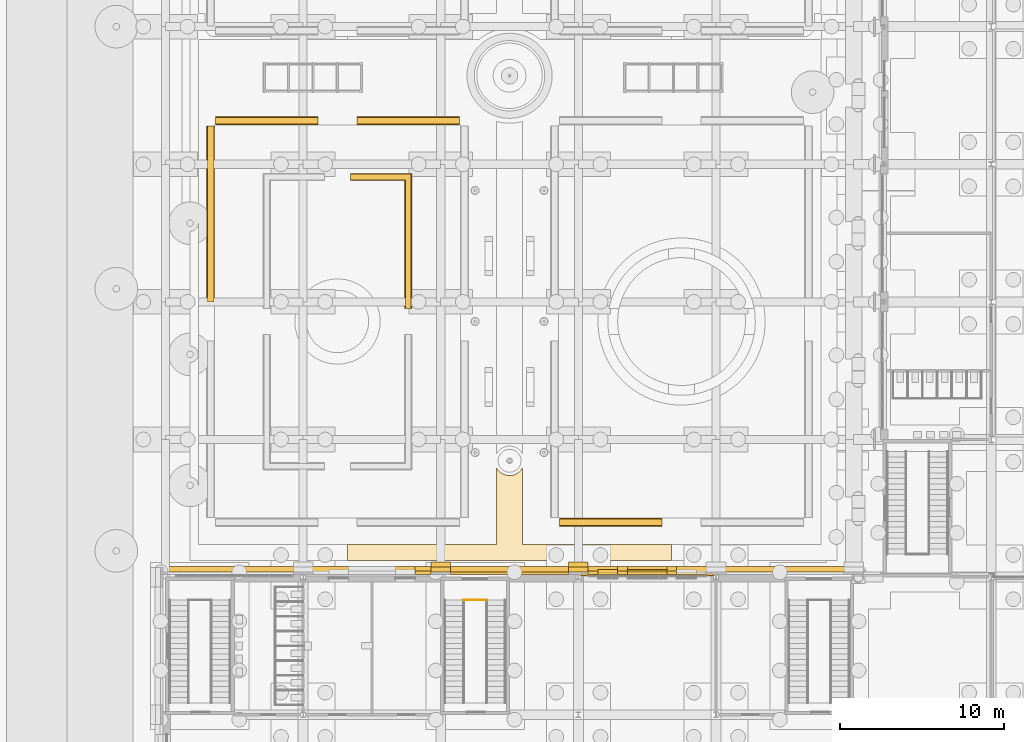
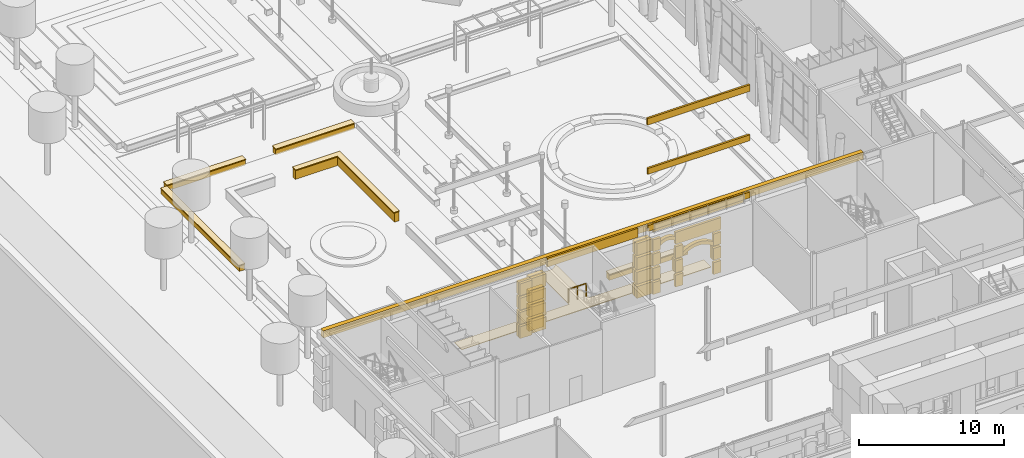
# One storey, part 137 of 222: 56 coverings, 1 railing.
"""IFC4 building model written with IfcOpenShell, lengths in metres."""

from ifc_helpers import new_model, si_unit, direction, frame, origin, origin_2d, place, context, subcontext, project, spatial, polyline, rectangle, circle, outline, extrude, material, layer, layer_set, type_object, element, save


model = new_model("IFC4")

# Units and contexts
model_context = context("Model", 3, precision=1e-05, world=origin(), true_north=direction((0.0, 1.0)))
body_context = subcontext(model_context, "Body", "Model", "MODEL_VIEW")
ifc_project = project(units=[si_unit("LENGTHUNIT", "METRE"), si_unit("AREAUNIT", "SQUARE_METRE"), si_unit("VOLUMEUNIT", "CUBIC_METRE"), si_unit("PLANEANGLEUNIT", "RADIAN"), si_unit("MASSUNIT", "GRAM", prefix="KILO")], contexts=[model_context])

# Site, building, storey
site_placement = place(None, origin())
site = spatial("IfcSite", under=ifc_project, at=site_placement, CompositionType="ELEMENT")
building_placement = place(site_placement, origin())
building = spatial("IfcBuilding", under=site, at=building_placement, Name="Sava Quay Ferry Terminal", CompositionType="ELEMENT")
storey_placement = place(building_placement, origin())
storey = spatial("IfcBuildingStorey", under=building, at=storey_placement, Name="L00", CompositionType="ELEMENT", Elevation=0.0)

# Coverings
ifc_material_1 = material(Name="Limestone Mutalj", Category="masonry")
ifc_layer_1 = layer(ifc_material_1, 0.300048828125)
ifc_layer_set_1 = layer_set([ifc_layer_1], Name="Limestone Mutalj")
covering_type_1 = type_object("IfcCoveringType", Name="Arch band 280", PredefinedType="MOLDING", material=ifc_layer_set_1)
covering_1_placement = place(storey_placement, frame((28.199951171875, 50.56005859375, 2.39990234375), z_axis=(0.0, -1.0, 0.0), x_axis=(0.781799047793, 0.0, 0.623530471485)))
element("IfcCovering", 1, at=covering_1_placement, inside=storey, type_object=covering_type_1, Name="Arch band", PredefinedType="MOLDING", context=body_context, shape_type="SweptSolid", body=[
    extrude(outline(polyline([(0.0, 0.0), (0.30697176602161635, 0.0), (0.5774085434796663, -0.04580853795661438), (0.820139621277012, -0.12635521719699466), (1.0394274147460691, -0.23629570829286917), (1.237403131553046, -0.37295784653010206), (1.4146756881740021, -0.5355781562760831), (1.5706361681328775, -0.7249201131634224), (1.7033442326716173, -0.9438081110252711), (1.8081557286415, -1.1972820210518706), (1.8764322360478165, -1.4965644690350846), (2.1040147689750315, -1.2112154513470075), (2.0113816025263374, -0.9424720286682031), (1.8924127984880728, -0.7067489270997916), (1.751179903284501, -0.49854958809448635), (1.5908047788741946, -0.31474282954357125), (1.41200993106309, -0.1540312088791158), (1.2155565054462616, -0.015460381560357339), (1.0006833564286355, 0.1000153078719414), (0.766477109296122, 0.19125064596886504), (0.5101976399064538, 0.2548099923836675), (0.2275825329272151, 0.2853490176880771), (0.0, 0.0)])), origin(), (0.0, 0.0, -1.0), 0.300048828125),
])
covering_2_placement = place(storey_placement, frame((26.39990234375, 50.56005859375, 3.89990234375), z_axis=(0.0, -1.0, 0.0), x_axis=(0.766686318179, 0.0, 0.642021876199)))
element("IfcCovering", 2, at=covering_2_placement, inside=storey, type_object=covering_type_1, Name="Arch band", PredefinedType="MOLDING", context=body_context, shape_type="SweptSolid", body=[
    extrude(outline(polyline([(0.0, 0.0), (0.15667057654730215, -1.3877787807814457e-17), (0.29293404656438327, -0.02398938309786766), (0.414337308134961, -0.06610472040016957), (0.5230139006591377, -0.1230376562322823), (0.6205921316676617, -0.19360424362325043), (0.7071983091278714, -0.2772733803971569), (0.7823317665186302, -0.3742626814856812), (0.8451129134167863, -0.48638306834825396), (0.8926594933146406, -0.6163159221710233), (0.9201733252360722, -0.7705516463358979), (1.1491757571516024, -0.49708272278628407), (1.0994043308893047, -0.3694264559410845), (1.0385345431113546, -0.2554038406547403), (0.9677594714851411, -0.1528295969140227), (0.8883939362971753, -0.06089413630177459), (0.8003770662378966, 0.021090386980039788), (0.7042095278284416, 0.09334158786309998), (0.5997650131014718, 0.15532836417148896), (0.4863556762589516, 0.20698984459564596), (0.3634154141219664, 0.2468894662299388), (0.22900243191553027, 0.27346892354961383), (0.0, 0.0)])), origin(), (0.0, 0.0, -1.0), 0.300048828125),
])
ifc_material_2 = material(Name="Limestone Mutalj", Category="masonry")
ifc_layer_2 = layer(ifc_material_2, 0.35009765625)
ifc_layer_set_2 = layer_set([ifc_layer_2], Name="Limestone Mutalj")
covering_type_2 = type_object("IfcCoveringType", Name="Base course 600", PredefinedType="MOLDING", material=ifc_layer_set_2)
covering_3_placement = place(storey_placement, frame((21.14990234375, 50.885009765625, 5.39990234375), z_axis=(0.0, 0.0, 1.0), x_axis=(1.0, 0.0, 0.0)))
element("IfcCovering", 3, at=covering_3_placement, inside=storey, type_object=covering_type_2, Name="Base course W N", PredefinedType="MOLDING", context=body_context, shape_type="SweptSolid", body=[
    extrude(rectangle(XDim=42.89990234375, YDim=0.35009765625, at=origin_2d()), origin(), (0.0, 0.0, 1.0), 0.60009765625),
])
ifc_material_3 = material(Name="Limestone Mutalj", Category="masonry")
ifc_layer_3 = layer(ifc_material_3, 0.35009765625)
ifc_layer_set_3 = layer_set([ifc_layer_3], Name="Limestone Mutalj")
covering_type_3 = type_object("IfcCoveringType", Name="Garden bed wall 350", PredefinedType="CLADDING", material=ifc_layer_set_3)
covering_4_placement = place(storey_placement, frame((0.0, 0.0, 0.14990234375)))
element("IfcCovering", 4, at=covering_4_placement, inside=storey, type_object=covering_type_3, Name="Garden bed wall 350", PredefinedType="CLADDING", context=body_context, shape_type="SweptSolid", body=[
    extrude(outline(polyline([(14.64990234375, 66.800048828125), (15.0, 66.800048828125), (15.0, 75.0), (11.300048828125, 75.0), (11.300048828125, 74.64990234375), (14.64990234375, 74.64990234375), (14.64990234375, 66.800048828125)])), origin(), (0.0, 0.0, 1.0), 0.75),
])
ifc_material_4 = material(Name="Limestone Mutalj", Category="masonry")
ifc_layer_4 = layer(ifc_material_4, 0.080078125)
ifc_layer_set_4 = layer_set([ifc_layer_4], Name="Limestone Mutalj")
covering_type_4 = type_object("IfcCoveringType", Name="Garden bed wall coping 450", PredefinedType="MOLDING", material=ifc_layer_set_4)
covering_5_placement = place(storey_placement, frame((0.0, 0.0, 0.89990234375)))
element("IfcCovering", 5, at=covering_5_placement, inside=storey, type_object=covering_type_4, Name="Garden bed wall coping 450", PredefinedType="MOLDING", context=body_context, shape_type="SweptSolid", body=[
    extrude(outline(polyline([(14.60009765625, 66.800048828125), (15.050048828125, 66.800048828125), (15.050048828125, 75.050048828125), (11.300048828125, 75.050048828125), (11.300048828125, 74.60009765625), (14.60009765625, 74.60009765625), (14.60009765625, 66.800048828125)])), origin(), (0.0, 0.0, 1.0), 0.080078125),
])

# Railing
ifc_material_5 = material(Name="Steel S355", Category="steel")
railing_type = type_object("IfcRailingType", Name="Guard 1100", PredefinedType="GUARDRAIL", material=ifc_material_5)
railing_placement = place(storey_placement, frame((18.199951171875, 49.0, 3.0)))
element("IfcRailing", 6, at=railing_placement, inside=storey, type_object=railing_type, Name="Guard at half landing ST-W3 L00", PredefinedType="GUARDRAIL", context=body_context, shape_type="SweptSolid", body=[
    extrude(circle(Radius=0.02392578125, at=origin_2d()), frame((0.0, 0.0, 1.076171875), z_axis=(1.0, 0.0, 0.0), x_axis=(0.0, 1.0, 0.0)), (0.0, 0.0, 1.0), 1.400146484375),
    extrude(circle(Radius=0.02099609375, at=origin_2d()), origin(), (0.0, 0.0, 1.0), 1.052001953125),
    extrude(circle(Radius=0.02099609375, at=origin_2d()), frame((0.7001953125, 0.0, 0.0)), (0.0, 0.0, 1.0), 1.052001953125),
    extrude(circle(Radius=0.02099609375, at=origin_2d()), frame((1.400146484375, 0.0, 0.0)), (0.0, 0.0, 1.0), 1.052001953125),
])

# Coverings
ifc_material_6 = material(Name="Limestone Mutalj", Category="masonry")
ifc_layer_5 = layer(ifc_material_6, 0.14990234375)
ifc_layer_set_5 = layer_set([ifc_layer_5], Name="Limestone Mutalj")
covering_type_5 = type_object("IfcCoveringType", Name="Limestone string course 150", PredefinedType="CLADDING", material=ifc_layer_set_5)
covering_6_placement = place(storey_placement, frame((0.0, 0.0, 5.25)))
element("IfcCovering", 7, at=covering_6_placement, inside=storey, type_object=covering_type_5, Name="String course W-N", PredefinedType="CLADDING", context=body_context, shape_type="SweptSolid", body=[
    extrude(outline(polyline([(17.39990234375, 50.56005859375), (24.60009765625, 50.56005859375), (24.60009765625, 50.7099609375), (17.39990234375, 50.7099609375), (17.39990234375, 50.56005859375)])), origin(), (0.0, 0.0, 1.0), 0.75),
])
covering_7_placement = place(storey_placement, frame((0.0, 0.0, 5.25)))
element("IfcCovering", 8, at=covering_7_placement, inside=storey, type_object=covering_type_5, Name="String course W-N", PredefinedType="CLADDING", context=body_context, shape_type="SweptSolid", body=[
    extrude(outline(polyline([(25.800048828125, 50.56005859375), (33.0, 50.56005859375), (33.0, 50.7099609375), (25.800048828125, 50.7099609375), (25.800048828125, 50.56005859375)])), origin(), (0.0, 0.0, 1.0), 0.75),
])
ifc_material_7 = material(Name="Limestone Mutalj", Category="masonry")
ifc_layer_6 = layer(ifc_material_7, 0.300048828125)
ifc_layer_set_6 = layer_set([ifc_layer_6], Name="Limestone Mutalj")
covering_type_6 = type_object("IfcCoveringType", Name="Rusticated course deepening 300", PredefinedType="CLADDING", material=ifc_layer_set_6)
for number, where, z_axis, x_axis, name in (
    (9, (16.800048828125, 51.159912109375, 0.0), (0.0, 0.0, 1.0), (1.0, 0.0, 0.0), "Rusticated course deepening"),
    (10, (16.800048828125, 51.159912109375, 1.199951171875), (0.0, 0.0, 1.0), (1.0, 0.0, 0.0), "Rusticated course deepening"),
    (11, (16.800048828125, 51.159912109375, 2.39990234375), (0.0, 0.0, 1.0), (1.0, 0.0, 0.0), "Rusticated course deepening"),
    (12, (16.800048828125, 51.159912109375, 3.60009765625), (0.0, 0.0, 1.0), (1.0, 0.0, 0.0), "Rusticated course deepening"),
    (13, (25.199951171875, 51.159912109375, 0.0), (0.0, 0.0, 1.0), (1.0, 0.0, 0.0), "Rusticated course deepening"),
    (14, (25.199951171875, 51.159912109375, 1.199951171875), (0.0, 0.0, 1.0), (1.0, 0.0, 0.0), "Rusticated course deepening"),
    (15, (25.199951171875, 51.159912109375, 2.39990234375), (0.0, 0.0, 1.0), (1.0, 0.0, 0.0), "Rusticated course deepening"),
    (16, (25.199951171875, 51.159912109375, 3.60009765625), (0.0, 0.0, 1.0), (1.0, 0.0, 0.0), "Rusticated course deepening"),
):
    element("IfcCovering", number, at=place(storey_placement, frame(where, z_axis=z_axis, x_axis=x_axis)), inside=storey, type_object=covering_type_6, Name=name, PredefinedType="CLADDING", context=body_context, shape_type="SweptSolid", body=[
        extrude(rectangle(XDim=1.199951171875, YDim=0.300048828125, at=origin_2d()), origin(), (0.0, 0.0, 1.0), 1.0),
    ])
for number, where, z_axis, x_axis, name in (
    (17, (15.715576171875, 50.909912109375, 0.0), (0.0, 0.0, 1.0), (1.0, 0.0, 0.0), "Rusticated course deepening"),
    (18, (15.715576171875, 50.909912109375, 1.199951171875), (0.0, 0.0, 1.0), (1.0, 0.0, 0.0), "Rusticated course deepening"),
    (19, (15.715576171875, 50.909912109375, 2.39990234375), (0.0, 0.0, 1.0), (1.0, 0.0, 0.0), "Rusticated course deepening"),
    (20, (15.715576171875, 50.909912109375, 3.60009765625), (0.0, 0.0, 1.0), (1.0, 0.0, 0.0), "Rusticated course deepening"),
):
    element("IfcCovering", number, at=place(storey_placement, frame(where, z_axis=z_axis, x_axis=x_axis)), inside=storey, type_object=covering_type_6, Name=name, PredefinedType="CLADDING", context=body_context, shape_type="SweptSolid", body=[
        extrude(rectangle(XDim=0.96875, YDim=0.300048828125, at=origin_2d()), origin(), (0.0, 0.0, 1.0), 1.0),
    ])
for number, where, z_axis, x_axis, name in (
    (21, (27.89990234375, 50.909912109375, 1.199951171875), (0.0, 0.0, 1.0), (1.0, 0.0, 0.0), "Rusticated course deepening"),
    (22, (30.89990234375, 50.909912109375, 1.199951171875), (0.0, 0.0, 1.0), (1.0, 0.0, 0.0), "Rusticated course deepening"),
):
    element("IfcCovering", number, at=place(storey_placement, frame(where, z_axis=z_axis, x_axis=x_axis)), inside=storey, type_object=covering_type_6, Name=name, PredefinedType="CLADDING", context=body_context, shape_type="SweptSolid", body=[
        extrude(rectangle(XDim=0.60009765625, YDim=0.300048828125, at=origin_2d()), origin(), (0.0, 0.0, 1.0), 1.0),
    ])
ifc_material_8 = material(Name="Limestone Mutalj", Category="masonry")
ifc_layer_7 = layer(ifc_material_8, 0.300048828125)
ifc_layer_set_7 = layer_set([ifc_layer_7], Name="Limestone Mutalj")
covering_type_7 = type_object("IfcCoveringType", Name="Rusticated pier course 300", PredefinedType="CLADDING", material=ifc_layer_set_7)
for number, where, z_axis, x_axis, name in (
    (23, (16.800048828125, 50.860107421875, 0.0), (0.0, 0.0, 1.0), (1.0, 0.0, 0.0), "Rusticated pier course"),
    (24, (16.800048828125, 50.860107421875, 1.199951171875), (0.0, 0.0, 1.0), (1.0, 0.0, 0.0), "Rusticated pier course"),
    (25, (16.800048828125, 50.860107421875, 2.39990234375), (0.0, 0.0, 1.0), (1.0, 0.0, 0.0), "Rusticated pier course"),
    (26, (16.800048828125, 50.860107421875, 3.60009765625), (0.0, 0.0, 1.0), (1.0, 0.0, 0.0), "Rusticated pier course"),
    (27, (25.199951171875, 50.860107421875, 0.0), (0.0, 0.0, 1.0), (1.0, 0.0, 0.0), "Rusticated pier course"),
    (28, (25.199951171875, 50.860107421875, 1.199951171875), (0.0, 0.0, 1.0), (1.0, 0.0, 0.0), "Rusticated pier course"),
    (29, (25.199951171875, 50.860107421875, 2.39990234375), (0.0, 0.0, 1.0), (1.0, 0.0, 0.0), "Rusticated pier course"),
    (30, (25.199951171875, 50.860107421875, 3.60009765625), (0.0, 0.0, 1.0), (1.0, 0.0, 0.0), "Rusticated pier course"),
):
    element("IfcCovering", number, at=place(storey_placement, frame(where, z_axis=z_axis, x_axis=x_axis)), inside=storey, type_object=covering_type_7, Name=name, PredefinedType="CLADDING", context=body_context, shape_type="SweptSolid", body=[
        extrude(rectangle(XDim=1.199951171875, YDim=0.300048828125, at=origin_2d()), origin(), (0.0, 0.0, 1.0), 1.0),
    ])
ifc_material_9 = material(Name="Limestone Mutalj", Category="masonry")
ifc_layer_8 = layer(ifc_material_9, 0.199951171875)
ifc_layer_set_8 = layer_set([ifc_layer_8], Name="Limestone Mutalj")
covering_type_8 = type_object("IfcCoveringType", Name="Rusticated wall course 200", PredefinedType="CLADDING", material=ifc_layer_set_8)
for number, where, z_axis, x_axis, name in (
    (31, (15.715576171875, 50.659912109375, 0.0), (0.0, 0.0, 1.0), (1.0, 0.0, 0.0), "Rusticated wall course"),
    (32, (15.715576171875, 50.659912109375, 1.199951171875), (0.0, 0.0, 1.0), (1.0, 0.0, 0.0), "Rusticated wall course"),
    (33, (15.715576171875, 50.659912109375, 2.39990234375), (0.0, 0.0, 1.0), (1.0, 0.0, 0.0), "Rusticated wall course"),
    (34, (15.715576171875, 50.659912109375, 3.60009765625), (0.0, 0.0, 1.0), (1.0, 0.0, 0.0), "Rusticated wall course"),
):
    element("IfcCovering", number, at=place(storey_placement, frame(where, z_axis=z_axis, x_axis=x_axis)), inside=storey, type_object=covering_type_8, Name=name, PredefinedType="CLADDING", context=body_context, shape_type="SweptSolid", body=[
        extrude(rectangle(XDim=0.96875, YDim=0.199951171875, at=origin_2d()), origin(), (0.0, 0.0, 1.0), 1.0),
    ])
for number, where, z_axis, x_axis, name in (
    (35, (26.10009765625, 50.659912109375, 0.0), (0.0, 0.0, 1.0), (1.0, 0.0, 0.0), "Rusticated wall course"),
    (36, (27.89990234375, 50.659912109375, 0.0), (0.0, 0.0, 1.0), (1.0, 0.0, 0.0), "Rusticated wall course"),
    (37, (30.89990234375, 50.659912109375, 0.0), (0.0, 0.0, 1.0), (1.0, 0.0, 0.0), "Rusticated wall course"),
    (38, (26.10009765625, 50.659912109375, 1.199951171875), (0.0, 0.0, 1.0), (1.0, 0.0, 0.0), "Rusticated wall course"),
    (39, (27.89990234375, 50.659912109375, 1.199951171875), (0.0, 0.0, 1.0), (1.0, 0.0, 0.0), "Rusticated wall course"),
    (40, (30.89990234375, 50.659912109375, 1.199951171875), (0.0, 0.0, 1.0), (1.0, 0.0, 0.0), "Rusticated wall course"),
    (41, (26.10009765625, 50.659912109375, 2.39990234375), (0.0, 0.0, 1.0), (1.0, 0.0, 0.0), "Rusticated wall course"),
    (42, (27.89990234375, 50.659912109375, 2.39990234375), (0.0, 0.0, 1.0), (1.0, 0.0, 0.0), "Rusticated wall course"),
    (43, (30.89990234375, 50.659912109375, 2.39990234375), (0.0, 0.0, 1.0), (1.0, 0.0, 0.0), "Rusticated wall course"),
    (44, (26.10009765625, 50.659912109375, 3.60009765625), (0.0, 0.0, 1.0), (1.0, 0.0, 0.0), "Rusticated wall course"),
):
    element("IfcCovering", number, at=place(storey_placement, frame(where, z_axis=z_axis, x_axis=x_axis)), inside=storey, type_object=covering_type_8, Name=name, PredefinedType="CLADDING", context=body_context, shape_type="SweptSolid", body=[
        extrude(rectangle(XDim=0.60009765625, YDim=0.199951171875, at=origin_2d()), origin(), (0.0, 0.0, 1.0), 1.0),
    ])
covering_8_placement = place(storey_placement, frame((29.39990234375, 50.659912109375, 3.60009765625), z_axis=(0.0, 0.0, 1.0), x_axis=(1.0, 0.0, 0.0)))
element("IfcCovering", 45, at=covering_8_placement, inside=storey, type_object=covering_type_8, Name="Rusticated wall course", PredefinedType="CLADDING", context=body_context, shape_type="SweptSolid", body=[
    extrude(rectangle(XDim=3.60009765625, YDim=0.199951171875, at=origin_2d()), origin(), (0.0, 0.0, 1.0), 1.0),
])
ifc_material_10 = material(Name="Limestone Mutalj", Category="masonry")
ifc_layer_9 = layer(ifc_material_10, 0.14990234375)
ifc_layer_set_9 = layer_set([ifc_layer_9], Name="Limestone Mutalj")
covering_type_9 = type_object("IfcCoveringType", Name="Slab edge fascia 150", PredefinedType="CLADDING", material=ifc_layer_set_9)
for number, where, name in (
    (46, (0.0, 0.0, 5.510009765625), "Slab edge fascia"),
    (47, (0.0, 0.0, 10.31005859375), "Slab edge fascia"),
):
    element("IfcCovering", number, at=place(storey_placement, frame(where)), inside=storey, type_object=covering_type_9, Name=name, PredefinedType="CLADDING", context=body_context, shape_type="SweptSolid", body=[
        extrude(outline(polyline([(25.35009765625, 50.633056640625), (25.35009765625, 50.48291015625), (33.449951171875, 50.48291015625), (33.449951171875, 50.633056640625), (25.35009765625, 50.633056640625)])), origin(), (0.0, 0.0, 1.0), 0.489990234375),
    ])
covering_9_placement = place(storey_placement, frame((0.0, 0.0, 14.449951171875)))
element("IfcCovering", 48, at=covering_9_placement, inside=storey, type_object=covering_type_9, Name="Slab edge fascia", PredefinedType="CLADDING", context=body_context, shape_type="SweptSolid", body=[
    extrude(outline(polyline([(25.330078125, 50.637939453125), (25.330078125, 50.488037109375), (33.469970703125, 50.488037109375), (33.469970703125, 50.637939453125), (25.330078125, 50.637939453125)])), origin(), (0.0, 0.0, 1.0), 0.550048828125),
])
ifc_material_11 = material(Name="Limestone Mutalj", Category="masonry")
ifc_layer_10 = layer(ifc_material_11, 0.050048828125)
ifc_layer_set_10 = layer_set([ifc_layer_10], Name="Limestone Mutalj")
covering_type_10 = type_object("IfcCoveringType", Name="Stone paving band 50", PredefinedType="FLOORING", material=ifc_layer_set_10)
covering_10_placement = place(storey_placement, origin())
element("IfcCovering", 49, at=covering_10_placement, inside=storey, type_object=covering_type_10, Name="Stone paving band", PredefinedType="FLOORING", context=body_context, shape_type="SweptSolid", body=[
    extrude(outline(polyline([(30.89990234375, 52.39990234375), (21.800048828125, 52.39990234375), (21.800048828125, 57.089111328125), (21.7939453125, 57.075927734375), (21.748046875, 57.0), (21.696044921875, 56.928955078125), (21.635986328125, 56.864013671875), (21.571044921875, 56.803955078125), (21.5, 56.751953125), (21.424072265625, 56.7060546875), (21.343994140625, 56.6689453125), (21.260986328125, 56.638916015625), (21.176025390625, 56.616943359375), (21.087890625, 56.60400390625), (21.0, 56.60009765625), (20.912109375, 56.60400390625), (20.823974609375, 56.616943359375), (20.739013671875, 56.638916015625), (20.656005859375, 56.6689453125), (20.575927734375, 56.7060546875), (20.5, 56.751953125), (20.428955078125, 56.803955078125), (20.364013671875, 56.864013671875), (20.303955078125, 56.928955078125), (20.251953125, 57.0), (20.2060546875, 57.075927734375), (20.199951171875, 57.089111328125), (20.199951171875, 52.39990234375), (11.10009765625, 52.39990234375), (11.10009765625, 51.39990234375), (30.89990234375, 51.39990234375), (30.89990234375, 52.39990234375)])), origin(), (0.0, 0.0, 1.0), 0.050048828125),
])
ifc_material_12 = material(Name="Limestone Mutalj", Category="masonry")
ifc_layer_11 = layer(ifc_material_12, 0.080078125)
ifc_layer_set_11 = layer_set([ifc_layer_11], Name="Limestone Mutalj")
covering_type_11 = type_object("IfcCoveringType", Name="Terrace parterre coping 500", PredefinedType="MOLDING", material=ifc_layer_set_11)
covering_11_placement = place(storey_placement, frame((0.0, 0.0, 0.449951171875)))
element("IfcCovering", 50, at=covering_11_placement, inside=storey, type_object=covering_type_11, Name="Parterre wall coping", PredefinedType="MOLDING", context=body_context, shape_type="SweptSolid", body=[
    extrude(outline(polyline([(9.300048828125, 78.0), (9.300048828125, 78.5), (3.050048828125, 78.5), (3.050048828125, 78.0), (9.300048828125, 78.0)])), origin(), (0.0, 0.0, 1.0), 0.080078125),
])
covering_12_placement = place(storey_placement, frame((0.0, 0.0, 0.449951171875)))
element("IfcCovering", 51, at=covering_12_placement, inside=storey, type_object=covering_type_11, Name="Parterre wall coping", PredefinedType="MOLDING", context=body_context, shape_type="SweptSolid", body=[
    extrude(outline(polyline([(2.5, 67.199951171875), (3.0, 67.199951171875), (3.0, 77.949951171875), (2.5, 77.949951171875), (2.5, 67.199951171875)])), origin(), (0.0, 0.0, 1.0), 0.080078125),
])
covering_13_placement = place(storey_placement, frame((0.0, 0.0, 0.449951171875)))
element("IfcCovering", 52, at=covering_13_placement, inside=storey, type_object=covering_type_11, Name="Parterre wall coping", PredefinedType="MOLDING", context=body_context, shape_type="SweptSolid", body=[
    extrude(outline(polyline([(11.699951171875, 78.5), (11.699951171875, 78.0), (17.949951171875, 78.0), (17.949951171875, 78.5), (11.699951171875, 78.5)])), origin(), (0.0, 0.0, 1.0), 0.080078125),
])
covering_14_placement = place(storey_placement, frame((0.0, 0.0, 0.449951171875)))
element("IfcCovering", 53, at=covering_14_placement, inside=storey, type_object=covering_type_11, Name="Parterre wall coping", PredefinedType="MOLDING", context=body_context, shape_type="SweptSolid", body=[
    extrude(outline(polyline([(30.300048828125, 53.5), (30.300048828125, 54.0), (24.050048828125, 54.0), (24.050048828125, 53.5), (30.300048828125, 53.5)])), origin(), (0.0, 0.0, 1.0), 0.080078125),
])
ifc_material_13 = material(Name="Limestone Mutalj", Category="masonry")
ifc_layer_12 = layer(ifc_material_13, 0.39990234375)
ifc_layer_set_12 = layer_set([ifc_layer_12], Name="Limestone Mutalj")
covering_type_12 = type_object("IfcCoveringType", Name="Terrace parterre wall 400", PredefinedType="CLADDING", material=ifc_layer_set_12)
covering_15_placement = place(storey_placement, origin())
element("IfcCovering", 54, at=covering_15_placement, inside=storey, type_object=covering_type_12, Name="Parterre wall", PredefinedType="CLADDING", context=body_context, shape_type="SweptSolid", body=[
    extrude(outline(polyline([(9.300048828125, 78.050048828125), (9.300048828125, 78.449951171875), (3.050048828125, 78.449951171875), (3.050048828125, 78.050048828125), (9.300048828125, 78.050048828125)])), origin(), (0.0, 0.0, 1.0), 0.449951171875),
])
covering_16_placement = place(storey_placement, origin())
element("IfcCovering", 55, at=covering_16_placement, inside=storey, type_object=covering_type_12, Name="Parterre wall", PredefinedType="CLADDING", context=body_context, shape_type="SweptSolid", body=[
    extrude(outline(polyline([(2.550048828125, 67.199951171875), (2.949951171875, 67.199951171875), (2.949951171875, 77.949951171875), (2.550048828125, 77.949951171875), (2.550048828125, 67.199951171875)])), origin(), (0.0, 0.0, 1.0), 0.449951171875),
])
covering_17_placement = place(storey_placement, origin())
element("IfcCovering", 56, at=covering_17_placement, inside=storey, type_object=covering_type_12, Name="Parterre wall", PredefinedType="CLADDING", context=body_context, shape_type="SweptSolid", body=[
    extrude(outline(polyline([(11.699951171875, 78.449951171875), (11.699951171875, 78.050048828125), (17.949951171875, 78.050048828125), (17.949951171875, 78.449951171875), (11.699951171875, 78.449951171875)])), origin(), (0.0, 0.0, 1.0), 0.449951171875),
])
covering_18_placement = place(storey_placement, origin())
element("IfcCovering", 57, at=covering_18_placement, inside=storey, type_object=covering_type_12, Name="Parterre wall", PredefinedType="CLADDING", context=body_context, shape_type="SweptSolid", body=[
    extrude(outline(polyline([(30.300048828125, 53.550048828125), (30.300048828125, 53.949951171875), (24.050048828125, 53.949951171875), (24.050048828125, 53.550048828125), (30.300048828125, 53.550048828125)])), origin(), (0.0, 0.0, 1.0), 0.449951171875),
])

save(model, "model.ifc")
